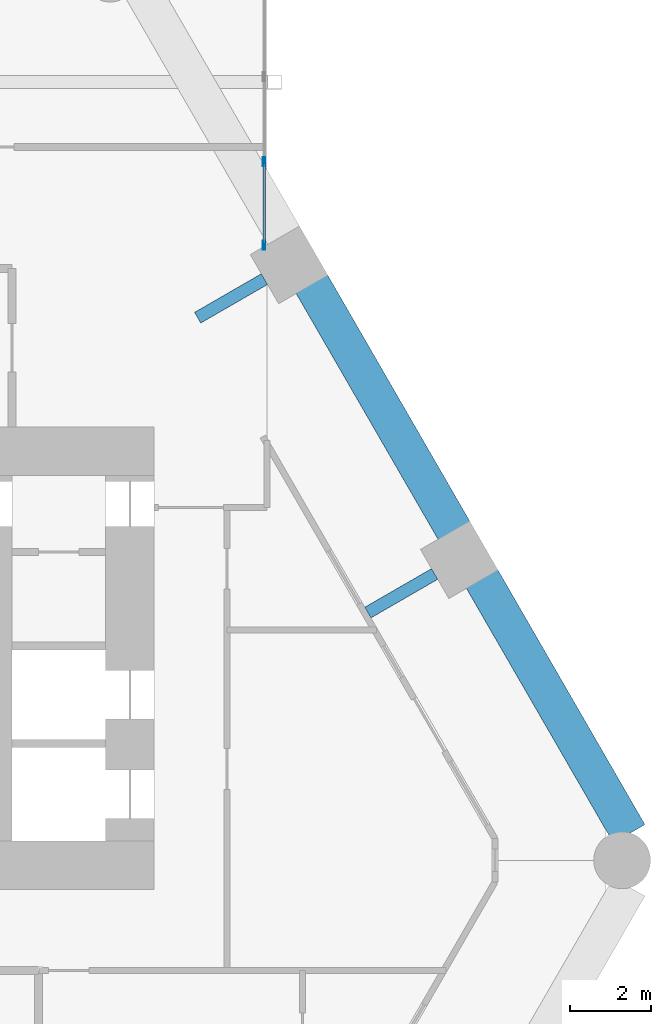
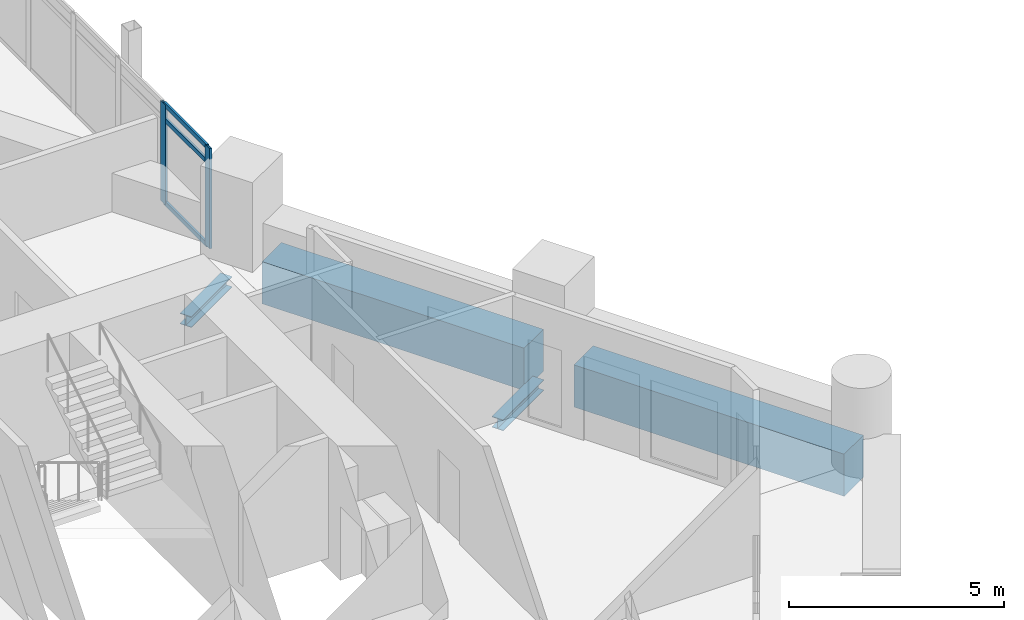
# One storey, part 18 of 28: 5 members, 4 beams, 1 element without a shape of its own.
"""IFC4 building model written with IfcOpenShell, lengths in metres."""

from ifc_helpers import new_model, si_unit, direction, frame, origin, origin_2d, place, context, subcontext, project, spatial, rectangle, hollow_rectangle, i_section, extrude, material, material_profile, profile_set, type_object, element, aggregate, save


model = new_model("IFC4")

# Units and contexts
model_context = context("Model", 3, precision=1e-05, world=origin(), true_north=direction((0.0, 1.0)))
body_context = subcontext(model_context, "Body", "Model", "MODEL_VIEW")
ifc_project = project(units=[si_unit("LENGTHUNIT", "METRE"), si_unit("AREAUNIT", "SQUARE_METRE"), si_unit("VOLUMEUNIT", "CUBIC_METRE"), si_unit("PLANEANGLEUNIT", "RADIAN"), si_unit("MASSUNIT", "GRAM", prefix="KILO")], contexts=[model_context])

# Site, building, storey
site_placement = place(None, origin())
site = spatial("IfcSite", under=ifc_project, at=site_placement, CompositionType="ELEMENT")
building_placement = place(site_placement, origin())
building = spatial("IfcBuilding", under=site, at=building_placement, Name="Ostrander Bayou Hotel Tower", CompositionType="ELEMENT")
storey_placement = place(building_placement, frame((0.0, 0.0, 76.75)))
storey = spatial("IfcBuildingStorey", under=building, at=storey_placement, Name="L19", CompositionType="ELEMENT", Elevation=76.75)

# Curtain wall, members
ifc_material_1 = material(Name="Aluminium and clear glass", Category="aluminium")
curtain_wall_type = type_object("IfcCurtainWallType", Name="CW-BAR glazed wall", PredefinedType="NOTDEFINED", material=ifc_material_1)
curtain_wall_placement = place(storey_placement, origin())
curtain_wall = element("IfcCurtainWall", 1, at=curtain_wall_placement, inside=storey, type_object=curtain_wall_type, Name="CW-BAR L19:SB1N:W", PredefinedType="NOTDEFINED")
ifc_material_2 = material(Name="Aluminium", Category="aluminium")
ifc_material_profile_1 = material_profile(ifc_material_2, hollow_rectangle(XDim=0.06005859375, YDim=0.219970703125, WallThickness=0.00390625, at=origin_2d()))
ifc_profile_set_1 = profile_set([ifc_material_profile_1], Name="Aluminium")
member_type_1 = type_object("IfcMemberType", Name="CW-BR mullion 60 x 220 mm", PredefinedType="MULLION", material=ifc_profile_set_1)
member_1_placement = place(storey_placement, frame((14.712158203125, 14.1767578125, 0.0), z_axis=(0.0, 0.0, 1.0), x_axis=(-1.0, 0.0, 0.0)))
member_1 = element("IfcMember", 2, at=member_1_placement, type_object=member_type_1, Name="CW-BAR mullion 1", PredefinedType="MULLION", context=body_context, shape_type="SweptSolid", body=[
    extrude(hollow_rectangle(XDim=0.06005859375, YDim=0.219970703125, WallThickness=0.00390625, at=origin_2d()), origin(), (0.0, 0.0, 1.0), 2.85009765625),
])
member_2_placement = place(storey_placement, frame((14.712158203125, 16.2392578125, 0.0), z_axis=(0.0, 0.0, 1.0), x_axis=(-1.0, 0.0, 0.0)))
member_2 = element("IfcMember", 3, at=member_2_placement, type_object=member_type_1, Name="CW-BAR mullion 2", PredefinedType="MULLION", context=body_context, shape_type="SweptSolid", body=[
    extrude(hollow_rectangle(XDim=0.06005859375, YDim=0.219970703125, WallThickness=0.00390625, at=origin_2d()), origin(), (0.0, 0.0, 1.0), 2.85009765625),
])
ifc_material_3 = material(Name="Aluminium", Category="aluminium")
ifc_material_profile_2 = material_profile(ifc_material_3, hollow_rectangle(XDim=0.06005859375, YDim=0.1298828125, WallThickness=0.00390625, at=origin_2d()))
ifc_profile_set_2 = profile_set([ifc_material_profile_2], Name="Aluminium")
member_type_2 = type_object("IfcMemberType", Name="CW-BR transom 60 x 130 mm", PredefinedType="USERDEFINED", material=ifc_profile_set_2)
member_3_placement = place(storey_placement, frame((14.712158203125, 14.206787109375, 0.030029296875), z_axis=(0.0, 1.0, 0.0), x_axis=(-1.0, 0.0, 0.0)))
member_3 = element("IfcMember", 4, at=member_3_placement, type_object=member_type_2, Name="CW-BAR transom 1.1", ObjectType="TRANSOM", PredefinedType="USERDEFINED", context=body_context, shape_type="SweptSolid", body=[
    extrude(hollow_rectangle(XDim=0.06005859375, YDim=0.1298828125, WallThickness=0.00390625, at=origin_2d()), origin(), (0.0, 0.0, 1.0), 2.00244140625),
])
member_4_placement = place(storey_placement, frame((14.712158203125, 14.206787109375, 2.39990234375), z_axis=(0.0, 1.0, 0.0), x_axis=(-1.0, 0.0, 0.0)))
member_4 = element("IfcMember", 5, at=member_4_placement, type_object=member_type_2, Name="CW-BAR transom 1.2", ObjectType="TRANSOM", PredefinedType="USERDEFINED", context=body_context, shape_type="SweptSolid", body=[
    extrude(hollow_rectangle(XDim=0.06005859375, YDim=0.1298828125, WallThickness=0.00390625, at=origin_2d()), origin(), (0.0, 0.0, 1.0), 2.00244140625),
])
member_5_placement = place(storey_placement, frame((14.712158203125, 14.206787109375, 2.820068359375), z_axis=(0.0, 1.0, 0.0), x_axis=(-1.0, 0.0, 0.0)))
member_5 = element("IfcMember", 6, at=member_5_placement, type_object=member_type_2, Name="CW-BAR transom 1.3", ObjectType="TRANSOM", PredefinedType="USERDEFINED", context=body_context, shape_type="SweptSolid", body=[
    extrude(hollow_rectangle(XDim=0.06005859375, YDim=0.1298828125, WallThickness=0.00390625, at=origin_2d()), origin(), (0.0, 0.0, 1.0), 2.00244140625),
])
aggregate(curtain_wall, [member_1, member_2, member_3, member_4, member_5])

# Beams
ifc_material_4 = material(Name="Steel ASTM A992", Category="steel")
ifc_material_profile_3 = material_profile(ifc_material_4, i_section(OverallWidth=0.3046875, OverallDepth=0.307861328125, WebThickness=0.010009765625, FlangeThickness=0.015380859375, at=origin_2d()))
ifc_profile_set_3 = profile_set([ifc_material_profile_3], Name="Steel ASTM A992")
beam_type_1 = type_object("IfcBeamType", Name="LB1 loggia bracket W12x65", PredefinedType="BEAM", material=ifc_profile_set_3)
for number, where, z_axis, x_axis, name in (
    (7, (18.914306640625, 6.07568359375, -0.453857421875), (-0.866044365799, -0.499967155389, 0.0), (0.499967155389, -0.866044365799, 0.0), "LB1 L19 NE1"),
    (8, (14.718994140625, 13.34228515625, -0.453857421875), (-0.866044365799, -0.499967155389, 0.0), (0.499967155389, -0.866044365799, 0.0), "LB1 L19 NE2"),
):
    element("IfcBeam", number, at=place(storey_placement, frame(where, z_axis=z_axis, x_axis=x_axis)), inside=storey, type_object=beam_type_1, Name=name, PredefinedType="BEAM", context=body_context, shape_type="SweptSolid", body=[
        extrude(i_section(OverallWidth=0.3046875, OverallDepth=0.307861328125, WebThickness=0.010009765625, FlangeThickness=0.015380859375, at=origin_2d()), origin(), (0.0, 0.0, 1.0), 1.900146484375),
    ])
ifc_material_5 = material(Name="Concrete f'c 70 MPa", Category="concrete")
ifc_material_profile_4 = material_profile(ifc_material_5, rectangle(XDim=0.89990234375, YDim=1.199951171875, at=origin_2d()))
ifc_profile_set_4 = profile_set([ifc_material_profile_4], Name="Concrete f'c 70 MPa")
beam_type_2 = type_object("IfcBeamType", Name="SP1 spandrel beam 900 x 1200 mm f'c 70 MPa", PredefinedType="SPANDREL", material=ifc_profile_set_4)
beam_1_placement = place(storey_placement, frame((23.707275390625, -0.325927734375, -0.60009765625), z_axis=(-0.50000343918, 0.866023418164, 0.0), x_axis=(-0.866023418164, -0.50000343918, 0.0)))
element("IfcBeam", 9, at=beam_1_placement, inside=storey, type_object=beam_type_2, Name="SP1 L19 NE-1", PredefinedType="SPANDREL", context=body_context, shape_type="SweptSolid", body=[
    extrude(rectangle(XDim=0.89990234375, YDim=1.199951171875, at=origin_2d()), origin(), (0.0, 0.0, 1.0), 7.2705078125),
])
beam_2_placement = place(storey_placement, frame((19.402099609375, 7.131103515625, -0.60009765625), z_axis=(-0.500012199891, 0.86601836006, 0.0), x_axis=(-0.86601836006, -0.500012199891, 0.0)))
element("IfcBeam", 10, at=beam_2_placement, inside=storey, type_object=beam_type_2, Name="SP1 L19 NE-2", PredefinedType="SPANDREL", context=body_context, shape_type="SweptSolid", body=[
    extrude(rectangle(XDim=0.89990234375, YDim=1.199951171875, at=origin_2d()), origin(), (0.0, 0.0, 1.0), 7.050537109375),
])

save(model, "model.ifc")
